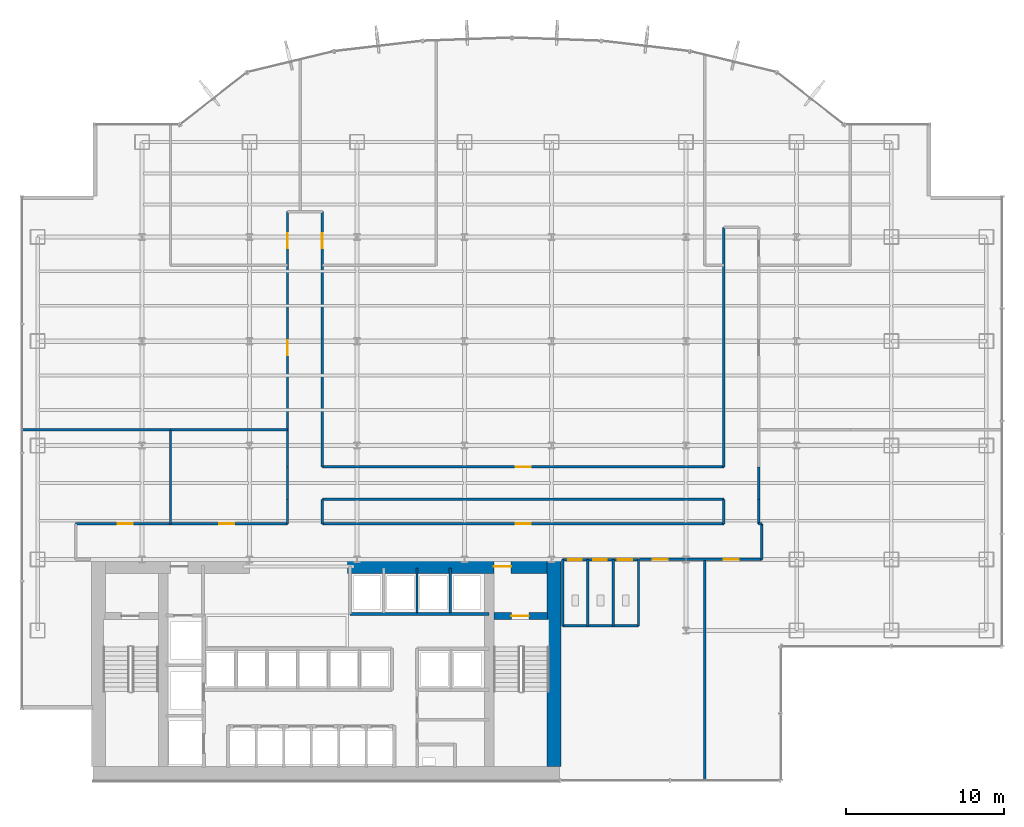
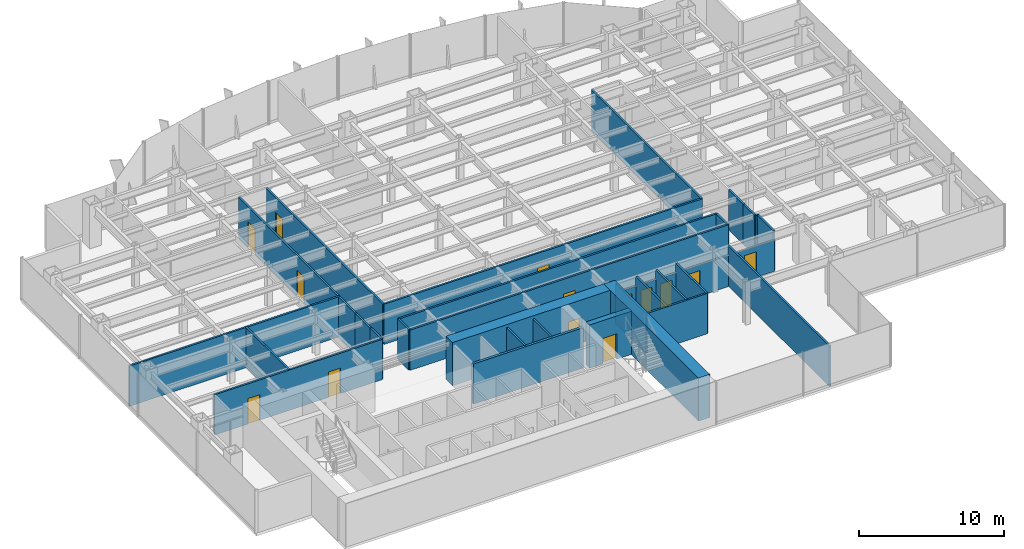
# One storey, part 18 of 22: 32 walls, 14 doors, 14 openings.
"""IFC4 building model written with IfcOpenShell, lengths in metres."""

from ifc_helpers import new_model, si_unit, derived_unit, direction, frame, frame_2d, origin, place, context, subcontext, project, spatial, rectangle, extrude, source, transform, mapped, material, layer, layer_set, type_object, element, fill, save


model = new_model("IFC4")

# Units and contexts
model_context = context("Model", 3, precision=1e-05, world=origin(), true_north=direction((0.0, 1.0)))
body_context = subcontext(model_context, "Body", "Model", "MODEL_VIEW")
ifc_project = project(units=[si_unit("LENGTHUNIT", "METRE"), si_unit("AREAUNIT", "SQUARE_METRE"), si_unit("VOLUMEUNIT", "CUBIC_METRE"), si_unit("PLANEANGLEUNIT", "RADIAN"), si_unit("MASSUNIT", "GRAM", prefix="KILO"), derived_unit("THERMALTRANSMITTANCEUNIT", [(si_unit("POWERUNIT", "WATT"), 1), (si_unit("LENGTHUNIT", "METRE"), -2), (si_unit("THERMODYNAMICTEMPERATUREUNIT", "KELVIN"), -1)])], contexts=[model_context])

# Site, building, storey
site_placement = place(None, origin())
site = spatial("IfcSite", under=ifc_project, at=site_placement, CompositionType="ELEMENT")
building_placement = place(site_placement, origin())
building = spatial("IfcBuilding", under=site, at=building_placement, Name="Skarnbrae Concourse Arena and Tower", CompositionType="ELEMENT")
storey_placement = place(building_placement, frame((0.0, 0.0, 76.300048828125)))
storey = spatial("IfcBuildingStorey", under=building, at=storey_placement, Name="L18", CompositionType="ELEMENT", Elevation=76.300048828125)

# Wall
ifc_material_1 = material(Name="Concrete 70 MPa (C70/85)", Category="concrete")
ifc_layer_1 = layer(ifc_material_1, 0.89990234375)
ifc_layer_set_1 = layer_set([ifc_layer_1], Name="Concrete 70 MPa (C70/85)")
wall_type_1 = type_object("IfcWallType", Name="WALL-CORE-900-C70", PredefinedType="SHEAR", material=ifc_layer_set_1)
shared_shape_1 = source(origin(), body_context, "Body", "SweptSolid", [
    extrude(rectangle(XDim=13.10009765625, YDim=0.89990234375, at=frame_2d((6.550048828125, 0.0))), origin(), (0.0, 0.0, 1.0), 3.64990234375),
])
wall_1_placement = place(storey_placement, frame((33.64990234375, 0.89990234375, 0.0), z_axis=(0.0, 0.0, 1.0), x_axis=(0.0, 1.0, 0.0)))
element("IfcWall", 1, at=wall_1_placement, inside=storey, type_object=wall_type_1, Name="L18 Rear core shear wall CW-E", PredefinedType="SHEAR", context=body_context, shape_type="MappedRepresentation", body=[
    mapped(shared_shape_1, transform((0.0, 0.0, 0.0))),
])

# Wall, opening, door
shared_shape_2 = source(origin(), body_context, "Body", "SweptSolid", [
    extrude(rectangle(XDim=12.599853515625, YDim=0.89990234375, at=frame_2d((6.2998046875, 0.0))), origin(), (0.0, 0.0, 1.0), 3.64990234375),
])
wall_2_placement = place(storey_placement, frame((20.60009765625, 13.550048828125, 0.0), z_axis=(0.0, 0.0, 1.0), x_axis=(1.0, 0.0, 0.0)))
wall_2 = element("IfcWall", 2, at=wall_2_placement, inside=storey, type_object=wall_type_1, Name="L18 Rear core shear wall CW-NE", PredefinedType="SHEAR", context=body_context, shape_type="MappedRepresentation", body=[
    mapped(shared_shape_2, transform((0.0, 0.0, 0.0))),
])
opening_1_placement = place(wall_2_placement, frame((9.25, 0.0, 0.0)))
opening_1 = element("IfcOpeningElement", 3, at=opening_1_placement, cuts=wall_2, Name="Opening DT-03", PredefinedType="OPENING", context=body_context, shape_type="SweptSolid", body=[
    extrude(rectangle(XDim=1.10009765625, YDim=2.14990234375, at=frame_2d((0.550048828125, 1.074951171875))), frame((0.0, 0.4599609375, 0.0), z_axis=(0.0, -1.0, 0.0), x_axis=(1.0, 0.0, 0.0)), (0.0, 0.0, 1.0), 0.919921875),
])
ifc_material_2 = material(Name="Steel CSA G40.21 350W", Category="steel")
door_type_1 = type_object("IfcDoorType", Name="DOOR-FIRE-1100-90M", OperationType="NOTDEFINED", PredefinedType="DOOR", material=ifc_material_2)
shared_shape_3 = source(origin(), body_context, "Body", "SweptSolid", [
    extrude(rectangle(XDim=1.10009765625, YDim=2.14990234375, at=frame_2d((0.550048828125, 1.074951171875))), frame((0.0, 0.02490234375, 0.0), z_axis=(0.0, -1.0, 0.0), x_axis=(1.0, 0.0, 0.0)), (0.0, 0.0, 1.0), 0.050048828125),
])
door_1_placement = place(opening_1_placement, origin())
door_1 = element("IfcDoor", 4, at=door_1_placement, inside=storey, type_object=door_type_1, Name="D-0661 Stair ST-2 Vestibule Door", OperationType="SINGLE_SWING_LEFT", OverallHeight=2.14990234375, OverallWidth=1.10009765625, PredefinedType="DOOR", context=body_context, shape_type="MappedRepresentation", body=[
    mapped(shared_shape_3, transform((0.0, 0.0, 0.0))),
])
fill(opening_1, door_1)

ifc_material_3 = material(Name="Concrete 50 MPa (C50/60)", Category="concrete")
ifc_layer_2 = layer(ifc_material_3, 0.449951171875)
ifc_layer_set_2 = layer_set([ifc_layer_2], Name="Concrete 50 MPa (C50/60)")
wall_type_2 = type_object("IfcWallType", Name="WALL-CORE-450-C50", PredefinedType="SHEAR", material=ifc_layer_set_2)
shared_shape_4 = source(origin(), body_context, "Body", "SweptSolid", [
    extrude(rectangle(XDim=3.389892578125, YDim=0.449951171875, at=frame_2d((1.69482421875, 0.0))), origin(), (0.0, 0.0, 1.0), 3.64990234375),
])
wall_3_placement = place(storey_placement, frame((29.860107421875, 10.419921875, 0.0), z_axis=(0.0, 0.0, 1.0), x_axis=(1.0, 0.0, 0.0)))
wall_3 = element("IfcWall", 5, at=wall_3_placement, inside=storey, type_object=wall_type_2, Name="L18 Rear core shear wall CW-ST2-N", PredefinedType="SHEAR", context=body_context, shape_type="MappedRepresentation", body=[
    mapped(shared_shape_4, transform((0.0, 0.0, 0.0))),
])
opening_2_placement = place(wall_3_placement, frame((1.10009765625, 0.0, 0.0)))
opening_2 = element("IfcOpeningElement", 6, at=opening_2_placement, cuts=wall_3, Name="Opening DT-03", PredefinedType="OPENING", context=body_context, shape_type="SweptSolid", body=[
    extrude(rectangle(XDim=1.10009765625, YDim=2.14990234375, at=frame_2d((0.550048828125, 1.074951171875))), frame((0.0, 0.23486328125, 0.0), z_axis=(0.0, -1.0, 0.0), x_axis=(1.0, 0.0, 0.0)), (0.0, 0.0, 1.0), 0.469970703125),
])
door_2_placement = place(opening_2_placement, frame((1.10009765625, 0.0, 0.0), z_axis=(0.0, 0.0, 1.0), x_axis=(-1.0, 0.0, 0.0)))
door_2 = element("IfcDoor", 7, at=door_2_placement, inside=storey, type_object=door_type_1, Name="D-0659 Stair ST-2 Door", OperationType="SINGLE_SWING_RIGHT", OverallHeight=2.14990234375, OverallWidth=1.10009765625, PredefinedType="DOOR", context=body_context, shape_type="MappedRepresentation", body=[
    mapped(shared_shape_3, transform((0.0, 0.0, 0.0))),
])
fill(opening_2, door_2)

# Walls
ifc_material_4 = material(Name="Gypsum board on cold-formed steel studs", Category="steel")
ifc_layer_3 = layer(ifc_material_4, 0.199951171875)
ifc_layer_set_3 = layer_set([ifc_layer_3], Name="Gypsum board on cold-formed steel studs")
wall_type_3 = type_object("IfcWallType", Name="WALL-PART-200-2HR", PredefinedType="PARTITIONING", material=ifc_layer_set_3)
shared_shape_5 = source(origin(), body_context, "Body", "SweptSolid", [
    extrude(rectangle(XDim=8.800048828125, YDim=0.199951171875, at=frame_2d((4.39990234375, 0.0))), origin(), (0.0, 0.0, 1.0), 3.39990234375),
])
wall_4_placement = place(storey_placement, frame((20.75, 10.550048828125, 0.0), z_axis=(0.0, 0.0, 1.0), x_axis=(1.0, 0.0, 0.0)))
element("IfcWall", 8, at=wall_4_placement, inside=storey, type_object=wall_type_3, Name="L18 Interior partition wall W-L18-B3N-S", PredefinedType="PARTITIONING", context=body_context, shape_type="MappedRepresentation", body=[
    mapped(shared_shape_5, transform((0.0, 0.0, 0.0))),
])
ifc_layer_4 = layer(ifc_material_4, 0.14990234375)
ifc_layer_set_4 = layer_set([ifc_layer_4], Name="Gypsum board on cold-formed steel studs")
wall_type_4 = type_object("IfcWallType", Name="WALL-PART-150", PredefinedType="PARTITIONING", material=ifc_layer_set_4)
shared_shape_6 = source(origin(), body_context, "Body", "SweptSolid", [
    extrude(rectangle(XDim=2.849853515625, YDim=0.14990234375, at=frame_2d((1.4248046875, 0.0))), origin(), (0.0, 0.0, 1.0), 3.39990234375),
])
for number, where, z_axis, x_axis, name in (
    (9, (24.989990234375, 10.60009765625, 0.0), (0.0, 0.0, 1.0), (0.0, 1.0, 0.0), "L18 Interior partition wall W-L18-B3N-P2"),
    (10, (27.090087890625, 10.60009765625, 0.0), (0.0, 0.0, 1.0), (0.0, 1.0, 0.0), "L18 Interior partition wall W-L18-B3N-P3"),
):
    element("IfcWall", number, at=place(storey_placement, frame(where, z_axis=z_axis, x_axis=x_axis)), inside=storey, type_object=wall_type_4, Name=name, PredefinedType="PARTITIONING", context=body_context, shape_type="MappedRepresentation", body=[
        mapped(shared_shape_6, transform((0.0, 0.0, 0.0))),
    ])

# Wall, openings, doors
shared_shape_7 = source(origin(), body_context, "Body", "SweptSolid", [
    extrude(rectangle(XDim=4.800048828125, YDim=0.14990234375, at=frame_2d((2.39990234375, 0.0))), origin(), (0.0, 0.0, 1.0), 2.625),
])
wall_5_placement = place(storey_placement, frame((34.199951171875, 13.97998046875, 0.0), z_axis=(0.0, 0.0, 1.0), x_axis=(1.0, 0.0, 0.0)))
wall_5 = element("IfcWall", 11, at=wall_5_placement, inside=storey, type_object=wall_type_4, Name="L18 Interior partition wall W-L18-WC-N", PredefinedType="PARTITIONING", context=body_context, shape_type="MappedRepresentation", body=[
    mapped(shared_shape_7, transform((0.0, 0.0, 0.0))),
])
opening_3_placement = place(wall_5_placement, frame((0.35009765625, 0.0, 0.0)))
opening_3 = element("IfcOpeningElement", 12, at=opening_3_placement, cuts=wall_5, Name="Opening DT-06", PredefinedType="OPENING", context=body_context, shape_type="SweptSolid", body=[
    extrude(rectangle(XDim=0.85009765625, YDim=2.10009765625, at=frame_2d((0.425048828125, 1.050048828125))), frame((0.0, 0.0849609375, 0.0), z_axis=(0.0, -1.0, 0.0), x_axis=(1.0, 0.0, 0.0)), (0.0, 0.0, 1.0), 0.169921875),
])
opening_4_placement = place(wall_5_placement, frame((1.949951171875, 0.0, 0.0)))
opening_4 = element("IfcOpeningElement", 13, at=opening_4_placement, cuts=wall_5, Name="Opening DT-06", PredefinedType="OPENING", context=body_context, shape_type="SweptSolid", body=[
    extrude(rectangle(XDim=0.85009765625, YDim=2.10009765625, at=frame_2d((0.425048828125, 1.050048828125))), frame((0.0, 0.0849609375, 0.0), z_axis=(0.0, -1.0, 0.0), x_axis=(1.0, 0.0, 0.0)), (0.0, 0.0, 1.0), 0.169921875),
])
opening_5_placement = place(wall_5_placement, frame((3.5, 0.0, 0.0)))
opening_5 = element("IfcOpeningElement", 14, at=opening_5_placement, cuts=wall_5, Name="Opening DT-05", PredefinedType="OPENING", context=body_context, shape_type="SweptSolid", body=[
    extrude(rectangle(XDim=0.89990234375, YDim=2.10009765625, at=frame_2d((0.449951171875, 1.050048828125))), frame((0.0, 0.0849609375, 0.0), z_axis=(0.0, -1.0, 0.0), x_axis=(1.0, 0.0, 0.0)), (0.0, 0.0, 1.0), 0.169921875),
])
ifc_material_5 = material(Name="Architectural oak veneer timber leaf", Category="wood")
door_type_2 = type_object("IfcDoorType", Name="DOOR-INT-850", OperationType="NOTDEFINED", PredefinedType="DOOR", material=ifc_material_5)
shared_shape_8 = source(origin(), body_context, "Body", "SweptSolid", [
    extrude(rectangle(XDim=0.85009765625, YDim=2.10009765625, at=frame_2d((0.425048828125, 1.050048828125))), frame((0.0, 0.02490234375, 0.0), z_axis=(0.0, -1.0, 0.0), x_axis=(1.0, 0.0, 0.0)), (0.0, 0.0, 1.0), 0.050048828125),
])
door_3_placement = place(opening_3_placement, frame((0.85009765625, 0.0, 0.0), z_axis=(0.0, 0.0, 1.0), x_axis=(-1.0, 0.0, 0.0)))
door_3 = element("IfcDoor", 15, at=door_3_placement, inside=storey, type_object=door_type_2, Name="D-0673 Male Washroom Door", OperationType="SINGLE_SWING_LEFT", OverallHeight=2.10009765625, OverallWidth=0.85009765625, PredefinedType="DOOR", context=body_context, shape_type="MappedRepresentation", body=[
    mapped(shared_shape_8, transform((0.0, 0.0, 0.0))),
])
fill(opening_3, door_3)
door_4_placement = place(opening_4_placement, frame((0.85009765625, 0.0, 0.0), z_axis=(0.0, 0.0, 1.0), x_axis=(-1.0, 0.0, 0.0)))
door_4 = element("IfcDoor", 16, at=door_4_placement, inside=storey, type_object=door_type_2, Name="D-0674 Female Washroom Door", OperationType="SINGLE_SWING_RIGHT", OverallHeight=2.10009765625, OverallWidth=0.85009765625, PredefinedType="DOOR", context=body_context, shape_type="MappedRepresentation", body=[
    mapped(shared_shape_8, transform((0.0, 0.0, 0.0))),
])
fill(opening_4, door_4)
door_type_3 = type_object("IfcDoorType", Name="DOOR-INT-900", OperationType="NOTDEFINED", PredefinedType="DOOR", material=ifc_material_5)
shared_shape_9 = source(origin(), body_context, "Body", "SweptSolid", [
    extrude(rectangle(XDim=0.89990234375, YDim=2.10009765625, at=frame_2d((0.449951171875, 1.050048828125))), frame((0.0, 0.02490234375, 0.0), z_axis=(0.0, -1.0, 0.0), x_axis=(1.0, 0.0, 0.0)), (0.0, 0.0, 1.0), 0.050048828125),
])
door_5_placement = place(opening_5_placement, frame((0.89990234375, 0.0, 0.0), z_axis=(0.0, 0.0, 1.0), x_axis=(-1.0, 0.0, 0.0)))
door_5 = element("IfcDoor", 17, at=door_5_placement, inside=storey, type_object=door_type_3, Name="D-0675 Accessible WC Door", OperationType="SINGLE_SWING_LEFT", OverallHeight=2.10009765625, OverallWidth=0.89990234375, PredefinedType="DOOR", context=body_context, shape_type="MappedRepresentation", body=[
    mapped(shared_shape_9, transform((0.0, 0.0, 0.0))),
])
fill(opening_5, door_5)

# Walls
shared_shape_10 = source(origin(), body_context, "Body", "SweptSolid", [
    extrude(rectangle(XDim=4.800048828125, YDim=0.14990234375, at=frame_2d((2.39990234375, 0.0))), origin(), (0.0, 0.0, 1.0), 3.39990234375),
])
wall_6_placement = place(storey_placement, frame((34.199951171875, 9.800048828125, 0.0), z_axis=(0.0, 0.0, 1.0), x_axis=(1.0, 0.0, 0.0)))
element("IfcWall", 18, at=wall_6_placement, inside=storey, type_object=wall_type_4, Name="L18 Interior partition wall W-L18-WC-S", PredefinedType="PARTITIONING", context=body_context, shape_type="MappedRepresentation", body=[
    mapped(shared_shape_10, transform((0.0, 0.0, 0.0))),
])
shared_shape_11 = source(origin(), body_context, "Body", "SweptSolid", [
    extrude(rectangle(XDim=4.179931640625, YDim=0.14990234375, at=frame_2d((2.08984375, 0.0))), origin(), (0.0, 0.0, 1.0), 3.39990234375),
])
for number, where, z_axis, x_axis, name in (
    (19, (39.0, 9.800048828125, 0.0), (0.0, 0.0, 1.0), (0.0, 1.0, 0.0), "L18 Interior partition wall W-L18-WC-E"),
    (20, (34.199951171875, 9.800048828125, 0.0), (0.0, 0.0, 1.0), (0.0, 1.0, 0.0), "L18 Interior partition wall W-L18-WC-W"),
    (21, (35.800048828125, 9.800048828125, 0.0), (0.0, 0.0, 1.0), (0.0, 1.0, 0.0), "L18 Interior partition wall W-L18-WC-D1"),
    (22, (37.39990234375, 9.800048828125, 0.0), (0.0, 0.0, 1.0), (0.0, 1.0, 0.0), "L18 Interior partition wall W-L18-WC-D2"),
):
    element("IfcWall", number, at=place(storey_placement, frame(where, z_axis=z_axis, x_axis=x_axis)), inside=storey, type_object=wall_type_4, Name=name, PredefinedType="PARTITIONING", context=body_context, shape_type="MappedRepresentation", body=[
        mapped(shared_shape_11, transform((0.0, 0.0, 0.0))),
    ])
ifc_layer_5 = layer(ifc_material_4, 0.14990234375)
ifc_layer_set_5 = layer_set([ifc_layer_5], Name="Gypsum board on cold-formed steel studs")
wall_type_5 = type_object("IfcWallType", Name="WALL-PART-150-1HR", PredefinedType="PARTITIONING", material=ifc_layer_set_5)
shared_shape_12 = source(origin(), body_context, "Body", "SweptSolid", [
    extrude(rectangle(XDim=2.25, YDim=0.14990234375, at=frame_2d((1.125, 0.0))), origin(), (0.0, 0.0, 1.0), 3.39990234375),
])
wall_7_placement = place(storey_placement, frame((46.800048828125, 16.25, 0.0), z_axis=(0.0, 0.0, 1.0), x_axis=(0.0, -1.0, 0.0)))
element("IfcWall", 23, at=wall_7_placement, inside=storey, type_object=wall_type_5, Name="L18 Interior partition wall W-L18-COR-16", PredefinedType="PARTITIONING", context=body_context, shape_type="MappedRepresentation", body=[
    mapped(shared_shape_12, transform((0.0, 0.0, 0.0))),
])
shared_shape_13 = source(origin(), body_context, "Body", "SweptSolid", [
    extrude(rectangle(XDim=2.050048828125, YDim=0.14990234375, at=frame_2d((1.02490234375, 0.0))), origin(), (0.0, 0.0, 1.0), 3.39990234375),
])
for number, where, z_axis, x_axis, name in (
    (24, (16.800048828125, 17.800048828125, 0.0), (0.0, 0.0, 1.0), (0.0, 1.0, 0.0), "L18 Interior partition wall W-L18-COR-05"),
    (25, (46.60009765625, 19.85009765625, 0.0), (0.0, 0.0, 1.0), (0.0, -1.0, 0.0), "L18 Interior partition wall W-L18-COR-13"),
):
    element("IfcWall", number, at=place(storey_placement, frame(where, z_axis=z_axis, x_axis=x_axis)), inside=storey, type_object=wall_type_5, Name=name, PredefinedType="PARTITIONING", context=body_context, shape_type="MappedRepresentation", body=[
        mapped(shared_shape_13, transform((0.0, 0.0, 0.0))),
    ])
shared_shape_14 = source(origin(), body_context, "Body", "SweptSolid", [
    extrude(rectangle(XDim=0.199951171875, YDim=0.14990234375, at=frame_2d((0.10009765625, 0.0))), origin(), (0.0, 0.0, 1.0), 3.39990234375),
])
wall_8_placement = place(storey_placement, frame((46.60009765625, 16.25, 0.0), z_axis=(0.0, 0.0, 1.0), x_axis=(1.0, 0.0, 0.0)))
element("IfcWall", 26, at=wall_8_placement, inside=storey, type_object=wall_type_5, Name="L18 Interior partition wall W-L18-COR-15", PredefinedType="PARTITIONING", context=body_context, shape_type="MappedRepresentation", body=[
    mapped(shared_shape_14, transform((0.0, 0.0, 0.0))),
])

# Wall, openings, doors
shared_shape_15 = source(origin(), body_context, "Body", "SweptSolid", [
    extrude(rectangle(XDim=7.75, YDim=0.14990234375, at=frame_2d((3.875, 0.0))), origin(), (0.0, 0.0, 1.0), 2.625),
])
wall_9_placement = place(storey_placement, frame((46.800048828125, 14.0, 0.0), z_axis=(0.0, 0.0, 1.0), x_axis=(-1.0, 0.0, 0.0)))
wall_9 = element("IfcWall", 27, at=wall_9_placement, inside=storey, type_object=wall_type_5, Name="L18 Interior partition wall W-L18-COR-17", PredefinedType="PARTITIONING", context=body_context, shape_type="MappedRepresentation", body=[
    mapped(shared_shape_15, transform((0.0, 0.0, 0.0))),
])
opening_6_placement = place(wall_9_placement, frame((5.9599609375, 0.0, 0.0)))
opening_6 = element("IfcOpeningElement", 28, at=opening_6_placement, cuts=wall_9, Name="Opening DT-04", PredefinedType="OPENING", context=body_context, shape_type="SweptSolid", body=[
    extrude(rectangle(XDim=0.949951171875, YDim=2.14990234375, at=frame_2d((0.47509765625, 1.074951171875))), frame((0.0, 0.0849609375, 0.0), z_axis=(0.0, -1.0, 0.0), x_axis=(1.0, 0.0, 0.0)), (0.0, 0.0, 1.0), 0.169921875),
])
opening_7_placement = place(wall_9_placement, frame((1.455078125, 0.0, 0.0)))
opening_7 = element("IfcOpeningElement", 29, at=opening_7_placement, cuts=wall_9, Name="Opening DT-04", PredefinedType="OPENING", context=body_context, shape_type="SweptSolid", body=[
    extrude(rectangle(XDim=0.949951171875, YDim=2.14990234375, at=frame_2d((0.47509765625, 1.074951171875))), frame((0.0, 0.0849609375, 0.0), z_axis=(0.0, -1.0, 0.0), x_axis=(1.0, 0.0, 0.0)), (0.0, 0.0, 1.0), 0.169921875),
])
door_type_4 = type_object("IfcDoorType", Name="DOOR-INT-950-45M", OperationType="NOTDEFINED", PredefinedType="DOOR", material=ifc_material_2)
shared_shape_16 = source(origin(), body_context, "Body", "SweptSolid", [
    extrude(rectangle(XDim=0.949951171875, YDim=2.14990234375, at=frame_2d((0.47509765625, 1.074951171875))), frame((0.0, 0.02490234375, 0.0), z_axis=(0.0, -1.0, 0.0), x_axis=(1.0, 0.0, 0.0)), (0.0, 0.0, 1.0), 0.050048828125),
])
door_6_placement = place(opening_6_placement, origin())
door_6 = element("IfcDoor", 30, at=door_6_placement, inside=storey, type_object=door_type_4, Name="D-0683 L18 Suite Door 08", OperationType="SINGLE_SWING_LEFT", OverallHeight=2.14990234375, OverallWidth=0.949951171875, PredefinedType="DOOR", context=body_context, shape_type="MappedRepresentation", body=[
    mapped(shared_shape_16, transform((0.0, 0.0, 0.0))),
])
fill(opening_6, door_6)
door_7_placement = place(opening_7_placement, origin())
door_7 = element("IfcDoor", 31, at=door_7_placement, inside=storey, type_object=door_type_4, Name="D-0685 L18 Suite Door 10", OperationType="SINGLE_SWING_LEFT", OverallHeight=2.14990234375, OverallWidth=0.949951171875, PredefinedType="DOOR", context=body_context, shape_type="MappedRepresentation", body=[
    mapped(shared_shape_16, transform((0.0, 0.0, 0.0))),
])
fill(opening_7, door_7)

shared_shape_17 = source(origin(), body_context, "Body", "SweptSolid", [
    extrude(rectangle(XDim=13.400146484375, YDim=0.14990234375, at=frame_2d((6.7001953125, 0.0))), origin(), (0.0, 0.0, 1.0), 3.39990234375),
])
wall_10_placement = place(storey_placement, frame((3.39990234375, 16.25, 0.0), z_axis=(0.0, 0.0, 1.0), x_axis=(1.0, 0.0, 0.0)))
wall_10 = element("IfcWall", 32, at=wall_10_placement, inside=storey, type_object=wall_type_5, Name="L18 Interior partition wall W-L18-COR-03", PredefinedType="PARTITIONING", context=body_context, shape_type="MappedRepresentation", body=[
    mapped(shared_shape_17, transform((0.0, 0.0, 0.0))),
])
opening_8_placement = place(wall_10_placement, frame((2.655029296875, 0.0, 0.0)))
opening_8 = element("IfcOpeningElement", 33, at=opening_8_placement, cuts=wall_10, Name="Opening DT-04", PredefinedType="OPENING", context=body_context, shape_type="SweptSolid", body=[
    extrude(rectangle(XDim=0.949951171875, YDim=2.14990234375, at=frame_2d((0.47509765625, 1.074951171875))), frame((0.0, 0.0849609375, 0.0), z_axis=(0.0, -1.0, 0.0), x_axis=(1.0, 0.0, 0.0)), (0.0, 0.0, 1.0), 0.169921875),
])
opening_9_placement = place(wall_10_placement, frame((9.094970703125, 0.0, 0.0)))
opening_9 = element("IfcOpeningElement", 34, at=opening_9_placement, cuts=wall_10, Name="Opening DT-04", PredefinedType="OPENING", context=body_context, shape_type="SweptSolid", body=[
    extrude(rectangle(XDim=0.949951171875, YDim=2.14990234375, at=frame_2d((0.47509765625, 1.074951171875))), frame((0.0, 0.0849609375, 0.0), z_axis=(0.0, -1.0, 0.0), x_axis=(1.0, 0.0, 0.0)), (0.0, 0.0, 1.0), 0.169921875),
])
door_8_placement = place(opening_8_placement, origin())
door_8 = element("IfcDoor", 35, at=door_8_placement, inside=storey, type_object=door_type_4, Name="D-0676 L18 Suite Door 01", OperationType="SINGLE_SWING_RIGHT", OverallHeight=2.14990234375, OverallWidth=0.949951171875, PredefinedType="DOOR", context=body_context, shape_type="MappedRepresentation", body=[
    mapped(shared_shape_16, transform((0.0, 0.0, 0.0))),
])
fill(opening_8, door_8)
door_9_placement = place(opening_9_placement, origin())
door_9 = element("IfcDoor", 36, at=door_9_placement, inside=storey, type_object=door_type_4, Name="D-0678 L18 Suite Door 03", OperationType="SINGLE_SWING_RIGHT", OverallHeight=2.14990234375, OverallWidth=0.949951171875, PredefinedType="DOOR", context=body_context, shape_type="MappedRepresentation", body=[
    mapped(shared_shape_16, transform((0.0, 0.0, 0.0))),
])
fill(opening_9, door_9)

# Walls
shared_shape_18 = source(origin(), body_context, "Body", "SweptSolid", [
    extrude(rectangle(XDim=1.550048828125, YDim=0.14990234375, at=frame_2d((0.77490234375, 0.0))), origin(), (0.0, 0.0, 1.0), 3.39990234375),
])
for number, where, z_axis, x_axis, name in (
    (37, (16.800048828125, 16.25, 0.0), (0.0, 0.0, 1.0), (0.0, 1.0, 0.0), "L18 Interior partition wall W-L18-COR-04"),
    (38, (46.60009765625, 17.800048828125, 0.0), (0.0, 0.0, 1.0), (0.0, -1.0, 0.0), "L18 Interior partition wall W-L18-COR-14"),
    (39, (44.39990234375, 16.25, 0.0), (0.0, 0.0, 1.0), (0.0, 1.0, 0.0), "L18 Interior partition wall W-L18-COR-19"),
    (40, (19.0, 17.800048828125, 0.0), (0.0, 0.0, 1.0), (0.0, -1.0, 0.0), "L18 Interior partition wall W-L18-COR-21"),
):
    element("IfcWall", number, at=place(storey_placement, frame(where, z_axis=z_axis, x_axis=x_axis)), inside=storey, type_object=wall_type_5, Name=name, PredefinedType="PARTITIONING", context=body_context, shape_type="MappedRepresentation", body=[
        mapped(shared_shape_18, transform((0.0, 0.0, 0.0))),
    ])

# Wall, openings, doors
shared_shape_19 = source(origin(), body_context, "Body", "SweptSolid", [
    extrude(rectangle(XDim=16.14990234375, YDim=0.14990234375, at=frame_2d((8.074951171875, 0.0))), origin(), (0.0, 0.0, 1.0), 3.39990234375),
])
wall_11_placement = place(storey_placement, frame((16.800048828125, 19.85009765625, 0.0), z_axis=(0.0, 0.0, 1.0), x_axis=(0.0, 1.0, 0.0)))
wall_11 = element("IfcWall", 41, at=wall_11_placement, inside=storey, type_object=wall_type_5, Name="L18 Interior partition wall W-L18-COR-06", PredefinedType="PARTITIONING", context=body_context, shape_type="MappedRepresentation", body=[
    mapped(shared_shape_19, transform((0.0, 0.0, 0.0))),
])
opening_10_placement = place(wall_11_placement, frame((7.074951171875, 0.0, 0.0)))
opening_10 = element("IfcOpeningElement", 42, at=opening_10_placement, cuts=wall_11, Name="Opening DT-04", PredefinedType="OPENING", context=body_context, shape_type="SweptSolid", body=[
    extrude(rectangle(XDim=0.949951171875, YDim=2.14990234375, at=frame_2d((0.47509765625, 1.074951171875))), frame((0.0, 0.0849609375, 0.0), z_axis=(0.0, -1.0, 0.0), x_axis=(1.0, 0.0, 0.0)), (0.0, 0.0, 1.0), 0.169921875),
])
opening_11_placement = place(wall_11_placement, frame((13.844970703125, 0.0, 0.0)))
opening_11 = element("IfcOpeningElement", 43, at=opening_11_placement, cuts=wall_11, Name="Opening DT-04", PredefinedType="OPENING", context=body_context, shape_type="SweptSolid", body=[
    extrude(rectangle(XDim=0.949951171875, YDim=2.14990234375, at=frame_2d((0.47509765625, 1.074951171875))), frame((0.0, 0.0849609375, 0.0), z_axis=(0.0, -1.0, 0.0), x_axis=(1.0, 0.0, 0.0)), (0.0, 0.0, 1.0), 0.169921875),
])
door_10_placement = place(opening_10_placement, origin())
door_10 = element("IfcDoor", 44, at=door_10_placement, inside=storey, type_object=door_type_4, Name="D-0677 L18 Suite Door 02", OperationType="SINGLE_SWING_LEFT", OverallHeight=2.14990234375, OverallWidth=0.949951171875, PredefinedType="DOOR", context=body_context, shape_type="MappedRepresentation", body=[
    mapped(shared_shape_16, transform((0.0, 0.0, 0.0))),
])
fill(opening_10, door_10)
door_11_placement = place(opening_11_placement, origin())
door_11 = element("IfcDoor", 45, at=door_11_placement, inside=storey, type_object=door_type_4, Name="D-0679 L18 Suite Door 04", OperationType="SINGLE_SWING_LEFT", OverallHeight=2.14990234375, OverallWidth=0.949951171875, PredefinedType="DOOR", context=body_context, shape_type="MappedRepresentation", body=[
    mapped(shared_shape_16, transform((0.0, 0.0, 0.0))),
])
fill(opening_11, door_11)

# Wall, opening, door
wall_12_placement = place(storey_placement, frame((19.0, 36.0, 0.0), z_axis=(0.0, 0.0, 1.0), x_axis=(0.0, -1.0, 0.0)))
wall_12 = element("IfcWall", 46, at=wall_12_placement, inside=storey, type_object=wall_type_5, Name="L18 Interior partition wall W-L18-COR-08", PredefinedType="PARTITIONING", context=body_context, shape_type="MappedRepresentation", body=[
    mapped(shared_shape_19, transform((0.0, 0.0, 0.0))),
])
opening_12_placement = place(wall_12_placement, frame((1.35498046875, 0.0, 0.0)))
opening_12 = element("IfcOpeningElement", 47, at=opening_12_placement, cuts=wall_12, Name="Opening DT-04", PredefinedType="OPENING", context=body_context, shape_type="SweptSolid", body=[
    extrude(rectangle(XDim=0.949951171875, YDim=2.14990234375, at=frame_2d((0.47509765625, 1.074951171875))), frame((0.0, 0.0849609375, 0.0), z_axis=(0.0, -1.0, 0.0), x_axis=(1.0, 0.0, 0.0)), (0.0, 0.0, 1.0), 0.169921875),
])
door_12_placement = place(opening_12_placement, origin())
door_12 = element("IfcDoor", 48, at=door_12_placement, inside=storey, type_object=door_type_4, Name="D-0680 L18 Suite Door 05", OperationType="SINGLE_SWING_RIGHT", OverallHeight=2.14990234375, OverallWidth=0.949951171875, PredefinedType="DOOR", context=body_context, shape_type="MappedRepresentation", body=[
    mapped(shared_shape_16, transform((0.0, 0.0, 0.0))),
])
fill(opening_12, door_12)

shared_shape_20 = source(origin(), body_context, "Body", "SweptSolid", [
    extrude(rectangle(XDim=25.39990234375, YDim=0.14990234375, at=frame_2d((12.699951171875, 0.0))), origin(), (0.0, 0.0, 1.0), 3.39990234375),
])
wall_13_placement = place(storey_placement, frame((19.0, 19.85009765625, 0.0), z_axis=(0.0, 0.0, 1.0), x_axis=(1.0, 0.0, 0.0)))
wall_13 = element("IfcWall", 49, at=wall_13_placement, inside=storey, type_object=wall_type_5, Name="L18 Interior partition wall W-L18-COR-09", PredefinedType="PARTITIONING", context=body_context, shape_type="MappedRepresentation", body=[
    mapped(shared_shape_20, transform((0.0, 0.0, 0.0))),
])
opening_13_placement = place(wall_13_placement, frame((12.22509765625, 0.0, 0.0)))
opening_13 = element("IfcOpeningElement", 50, at=opening_13_placement, cuts=wall_13, Name="Opening DT-04", PredefinedType="OPENING", context=body_context, shape_type="SweptSolid", body=[
    extrude(rectangle(XDim=0.949951171875, YDim=2.14990234375, at=frame_2d((0.47509765625, 1.074951171875))), frame((0.0, 0.0849609375, 0.0), z_axis=(0.0, -1.0, 0.0), x_axis=(1.0, 0.0, 0.0)), (0.0, 0.0, 1.0), 0.169921875),
])
door_13_placement = place(opening_13_placement, origin())
door_13 = element("IfcDoor", 51, at=door_13_placement, inside=storey, type_object=door_type_4, Name="D-0682 L18 Suite Door 07", OperationType="SINGLE_SWING_RIGHT", OverallHeight=2.14990234375, OverallWidth=0.949951171875, PredefinedType="DOOR", context=body_context, shape_type="MappedRepresentation", body=[
    mapped(shared_shape_16, transform((0.0, 0.0, 0.0))),
])
fill(opening_13, door_13)

wall_14_placement = place(storey_placement, frame((19.0, 16.25, 0.0), z_axis=(0.0, 0.0, 1.0), x_axis=(1.0, 0.0, 0.0)))
wall_14 = element("IfcWall", 52, at=wall_14_placement, inside=storey, type_object=wall_type_5, Name="L18 Interior partition wall W-L18-COR-18", PredefinedType="PARTITIONING", context=body_context, shape_type="MappedRepresentation", body=[
    mapped(shared_shape_20, transform((0.0, 0.0, 0.0))),
])
opening_14_placement = place(wall_14_placement, frame((12.22509765625, 0.0, 0.0)))
opening_14 = element("IfcOpeningElement", 53, at=opening_14_placement, cuts=wall_14, Name="Opening DT-04", PredefinedType="OPENING", context=body_context, shape_type="SweptSolid", body=[
    extrude(rectangle(XDim=0.949951171875, YDim=2.14990234375, at=frame_2d((0.47509765625, 1.074951171875))), frame((0.0, 0.0849609375, 0.0), z_axis=(0.0, -1.0, 0.0), x_axis=(1.0, 0.0, 0.0)), (0.0, 0.0, 1.0), 0.169921875),
])
door_14_placement = place(opening_14_placement, origin())
door_14 = element("IfcDoor", 54, at=door_14_placement, inside=storey, type_object=door_type_4, Name="D-0681 L18 Suite Door 06", OperationType="SINGLE_SWING_LEFT", OverallHeight=2.14990234375, OverallWidth=0.949951171875, PredefinedType="DOOR", context=body_context, shape_type="MappedRepresentation", body=[
    mapped(shared_shape_16, transform((0.0, 0.0, 0.0))),
])
fill(opening_14, door_14)

# Walls
wall_15_placement = place(storey_placement, frame((44.39990234375, 17.800048828125, 0.0), z_axis=(0.0, 0.0, 1.0), x_axis=(-1.0, 0.0, 0.0)))
element("IfcWall", 55, at=wall_15_placement, inside=storey, type_object=wall_type_5, Name="L18 Interior partition wall W-L18-COR-20", PredefinedType="PARTITIONING", context=body_context, shape_type="MappedRepresentation", body=[
    mapped(shared_shape_20, transform((0.0, 0.0, 0.0))),
])
shared_shape_21 = source(origin(), body_context, "Body", "SweptSolid", [
    extrude(rectangle(XDim=15.14990234375, YDim=0.14990234375, at=frame_2d((7.574951171875, 0.0))), origin(), (0.0, 0.0, 1.0), 3.39990234375),
])
wall_16_placement = place(storey_placement, frame((44.39990234375, 19.85009765625, 0.0), z_axis=(0.0, 0.0, 1.0), x_axis=(0.0, 1.0, 0.0)))
element("IfcWall", 56, at=wall_16_placement, inside=storey, type_object=wall_type_5, Name="L18 Interior partition wall W-L18-COR-10", PredefinedType="PARTITIONING", context=body_context, shape_type="MappedRepresentation", body=[
    mapped(shared_shape_21, transform((0.0, 0.0, 0.0))),
])
shared_shape_22 = source(origin(), body_context, "Body", "SweptSolid", [
    extrude(rectangle(XDim=9.3798828125, YDim=0.14990234375, at=frame_2d((4.68994140625, 0.0))), origin(), (0.0, 0.0, 1.0), 3.39990234375),
])
wall_17_placement = place(storey_placement, frame((0.02001953125, 22.199951171875, 0.0), z_axis=(0.0, 0.0, 1.0), x_axis=(1.0, 0.0, 0.0)))
element("IfcWall", 57, at=wall_17_placement, inside=storey, type_object=wall_type_4, Name="L18 Interior partition wall W-L18-DEM-22", PredefinedType="PARTITIONING", context=body_context, shape_type="MappedRepresentation", body=[
    mapped(shared_shape_22, transform((0.0, 0.0, 0.0))),
])
shared_shape_23 = source(origin(), body_context, "Body", "SweptSolid", [
    extrude(rectangle(XDim=5.949951171875, YDim=0.14990234375, at=frame_2d((2.97509765625, 0.0))), origin(), (0.0, 0.0, 1.0), 3.39990234375),
])
wall_18_placement = place(storey_placement, frame((9.39990234375, 22.199951171875, 0.0), z_axis=(0.0, 0.0, 1.0), x_axis=(0.0, -1.0, 0.0)))
element("IfcWall", 58, at=wall_18_placement, inside=storey, type_object=wall_type_4, Name="L18 Interior partition wall W-L18-DEM-23", PredefinedType="PARTITIONING", context=body_context, shape_type="MappedRepresentation", body=[
    mapped(shared_shape_23, transform((0.0, 0.0, 0.0))),
])
shared_shape_24 = source(origin(), body_context, "Body", "SweptSolid", [
    extrude(rectangle(XDim=7.400146484375, YDim=0.14990234375, at=frame_2d((3.7001953125, 0.0))), origin(), (0.0, 0.0, 1.0), 3.39990234375),
])
wall_19_placement = place(storey_placement, frame((16.800048828125, 22.199951171875, 0.0), z_axis=(0.0, 0.0, 1.0), x_axis=(-1.0, 0.0, 0.0)))
element("IfcWall", 59, at=wall_19_placement, inside=storey, type_object=wall_type_4, Name="L18 Interior partition wall W-L18-DEM-24", PredefinedType="PARTITIONING", context=body_context, shape_type="MappedRepresentation", body=[
    mapped(shared_shape_24, transform((0.0, 0.0, 0.0))),
])
shared_shape_25 = source(origin(), body_context, "Body", "SweptSolid", [
    extrude(rectangle(XDim=13.97998046875, YDim=0.14990234375, at=frame_2d((6.989990234375, 0.0))), origin(), (0.0, 0.0, 1.0), 3.39990234375),
])
wall_20_placement = place(storey_placement, frame((43.199951171875, 14.0, 0.0), z_axis=(0.0, 0.0, 1.0), x_axis=(0.0, -1.0, 0.0)))
element("IfcWall", 60, at=wall_20_placement, inside=storey, type_object=wall_type_4, Name="L18 Interior partition wall W-L18-DEM-33", PredefinedType="PARTITIONING", context=body_context, shape_type="MappedRepresentation", body=[
    mapped(shared_shape_25, transform((0.0, 0.0, 0.0))),
])

save(model, "model.ifc")
